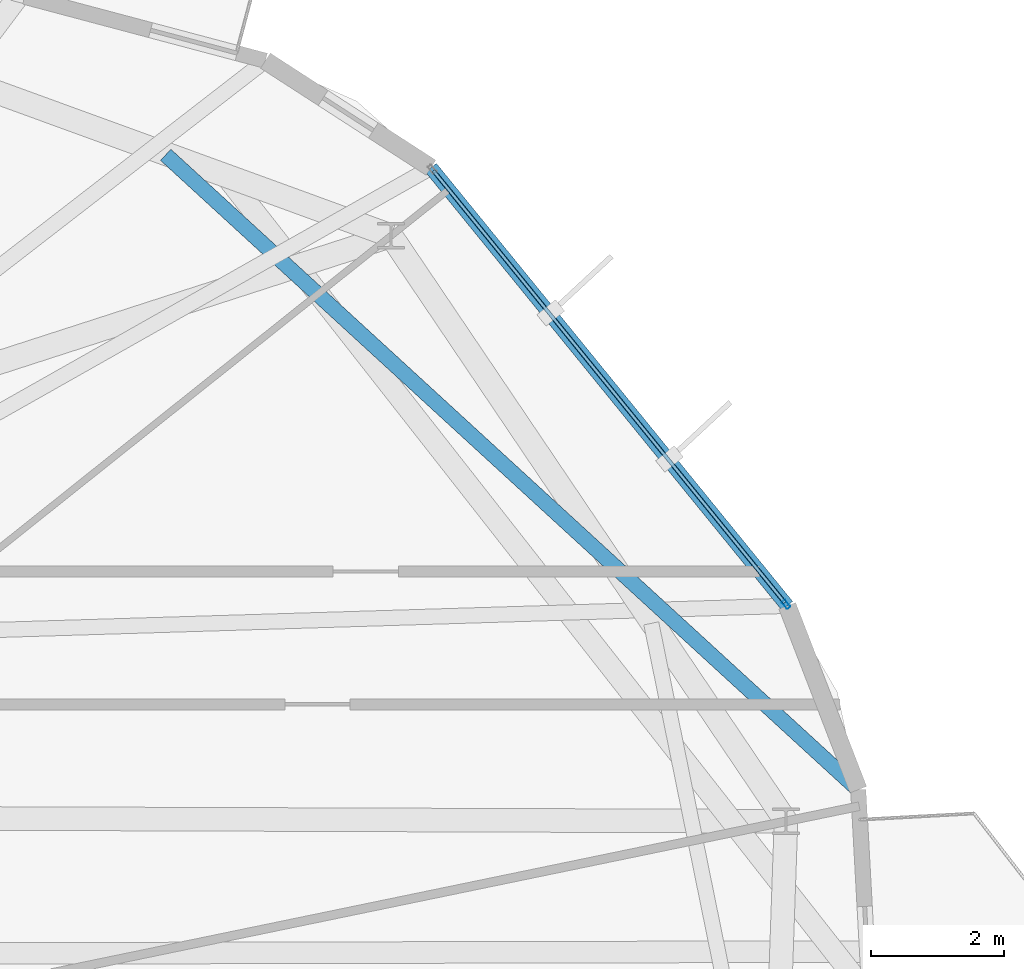
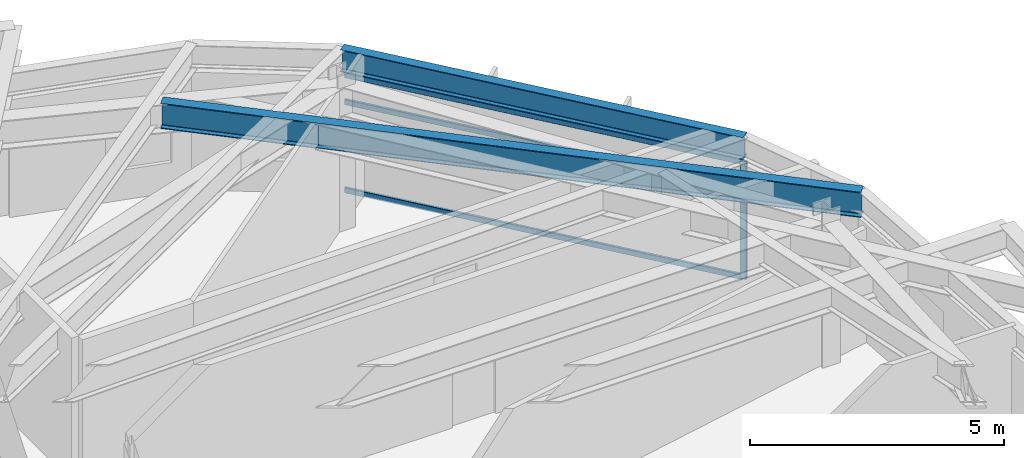
# One storey, part 16 of 26: 4 members, 2 beams, 1 element without a shape of its own.
"""IFC4 building model written with IfcOpenShell, lengths in metres."""

from ifc_helpers import new_model, si_unit, direction, frame, origin, origin_2d, place, context, subcontext, project, spatial, hollow_rectangle, i_section, extrude, material, layer, layer_set, material_profile, profile_set, type_object, element, aggregate, save


model = new_model("IFC4")

# Units and contexts
model_context = context("Model", 3, precision=1e-05, world=origin(), true_north=direction((0.0, 1.0)))
body_context = subcontext(model_context, "Body", "Model", "MODEL_VIEW")
ifc_project = project(units=[si_unit("LENGTHUNIT", "METRE"), si_unit("AREAUNIT", "SQUARE_METRE"), si_unit("VOLUMEUNIT", "CUBIC_METRE"), si_unit("PLANEANGLEUNIT", "RADIAN"), si_unit("MASSUNIT", "GRAM", prefix="KILO")], contexts=[model_context])

# Site, building, storey
site_placement = place(None, origin())
site = spatial("IfcSite", under=ifc_project, at=site_placement, CompositionType="ELEMENT")
building_placement = place(site_placement, origin())
building = spatial("IfcBuilding", under=site, at=building_placement, Name="Soratama Intermodal Tower", CompositionType="ELEMENT")
storey_placement = place(building_placement, frame((0.0, 0.0, 242.5)))
storey = spatial("IfcBuildingStorey", under=building, at=storey_placement, Name="L61", CompositionType="ELEMENT", Elevation=242.5)

# Beams
ifc_material_1 = material(Name="Structural steel ASTM A992 Grade 50", Category="steel")
ifc_material_profile_1 = material_profile(ifc_material_1, i_section(OverallWidth=0.2099609375, OverallDepth=0.537109375, WebThickness=0.010986328125, FlangeThickness=0.017333984375, FilletRadius=0.012939453125, at=origin_2d()), Name="W21X68")
ifc_profile_set_1 = profile_set([ifc_material_profile_1], Name="Structural steel ASTM A992 Grade 50")
beam_type_1 = type_object("IfcBeamType", Name="BM-SPN-W21X68", PredefinedType="SPANDREL", material=ifc_profile_set_1)
beam_1_placement = place(storey_placement, frame((61.552978515625, 32.98388671875, 3.181396484375), z_axis=(-0.630976433532, 0.775801998146, 0.0), x_axis=(-0.775801998146, -0.630976433532, 0.0)))
element("IfcBeam", 1, at=beam_1_placement, inside=storey, type_object=beam_type_1, Name="BS-L61-F10", PredefinedType="SPANDREL", context=body_context, shape_type="SweptSolid", body=[
    extrude(i_section(OverallWidth=0.2099609375, OverallDepth=0.537109375, WebThickness=0.010986328125, FlangeThickness=0.017333984375, FilletRadius=0.012939453125, at=origin_2d()), origin(), (0.0, 0.0, 1.0), 8.49951171875),
])
ifc_material_2 = material(Name="Structural steel ASTM A992 Grade 50", Category="steel")
ifc_material_profile_2 = material_profile(ifc_material_2, i_section(OverallWidth=0.22900390625, OverallDepth=0.612060546875, WebThickness=0.011962890625, FlangeThickness=0.01953125, FilletRadius=0.012939453125, at=origin_2d()), Name="W24X84")
ifc_profile_set_2 = profile_set([ifc_material_profile_2], Name="Structural steel ASTM A992 Grade 50")
beam_type_2 = type_object("IfcBeamType", Name="BM-TIE-W24X84", PredefinedType="BEAM", material=ifc_profile_set_2)
beam_2_placement = place(storey_placement, frame((52.197998046875, 39.77197265625, 3.14404296875), z_axis=(0.737170623325, -0.675706646487, 0.0), x_axis=(0.675706646487, 0.737170623325, 0.0)))
element("IfcBeam", 2, at=beam_2_placement, inside=storey, type_object=beam_type_2, Name="BM-L61-TIE1-09", PredefinedType="BEAM", context=body_context, shape_type="SweptSolid", body=[
    extrude(i_section(OverallWidth=0.22900390625, OverallDepth=0.612060546875, WebThickness=0.011962890625, FlangeThickness=0.01953125, FilletRadius=0.012939453125, at=origin_2d()), origin(), (0.0, 0.0, 1.0), 14.140625),
])

# Curtain wall, members
ifc_material_3 = material(Name="Double-glazed aluminium curtain wall", Category="aluminium")
ifc_layer = layer(ifc_material_3, 0.159912109375)
ifc_layer_set = layer_set([ifc_layer], Name="Double-glazed aluminium curtain wall")
curtain_wall_type = type_object("IfcCurtainWallType", Name="CW-SYS-5", PredefinedType="NOTDEFINED", material=ifc_layer_set)
curtain_wall_placement = place(storey_placement, origin())
curtain_wall = element("IfcCurtainWall", 3, at=curtain_wall_placement, inside=storey, type_object=curtain_wall_type, Name="L61 Faceted Curtain Wall F10", PredefinedType="NOTDEFINED")
ifc_material_4 = material(Name="Anodised aluminium AA 6063-T6", Category="aluminium")
ifc_material_profile_3 = material_profile(ifc_material_4, hollow_rectangle(XDim=0.06494140625, YDim=0.139892578125, WallThickness=0.0048828125, InnerFilletRadius=0.0048828125, OuterFilletRadius=0.010009765625, at=origin_2d()), Name="CWM140X65X5")
ifc_profile_set_3 = profile_set([ifc_material_profile_3], Name="Anodised aluminium AA 6063-T6")
member_type_1 = type_object("IfcMemberType", Name="MT-CWM-5", PredefinedType="MULLION", material=ifc_profile_set_3)
member_1_placement = place(storey_placement, frame((61.5341796875, 33.00732421875, 0.0), z_axis=(0.0, 0.0, 1.0), x_axis=(-0.775824220588, -0.630949109477, 0.0)))
member_1 = element("IfcMember", 4, at=member_1_placement, type_object=member_type_1, Name="CW-5 mullion 1", PredefinedType="MULLION", context=body_context, shape_type="SweptSolid", body=[
    extrude(hollow_rectangle(XDim=0.06494140625, YDim=0.139892578125, WallThickness=0.0048828125, InnerFilletRadius=0.0048828125, OuterFilletRadius=0.010009765625, at=origin_2d()), origin(), (0.0, 0.0, 1.0), 2.8291015625),
])
ifc_material_5 = material(Name="Anodised aluminium AA 6063-T6", Category="aluminium")
ifc_material_profile_4 = material_profile(ifc_material_5, hollow_rectangle(XDim=0.06005859375, YDim=0.1298828125, WallThickness=0.0048828125, InnerFilletRadius=0.0048828125, OuterFilletRadius=0.010009765625, at=origin_2d()), Name="CWT130X60X5")
ifc_profile_set_4 = profile_set([ifc_material_profile_4], Name="Anodised aluminium AA 6063-T6")
member_type_2 = type_object("IfcMemberType", Name="TT-CWT-2", PredefinedType="USERDEFINED", material=ifc_profile_set_4)
member_2_placement = place(storey_placement, frame((61.51513671875, 33.03076171875, 0.030029296875), z_axis=(-0.630956714187, 0.775818035896, 0.0), x_axis=(-0.775818035896, -0.630956714187, 0.0)))
member_2 = element("IfcMember", 5, at=member_2_placement, type_object=member_type_2, Name="CW-5 transom 1.1", ObjectType="TRANSOM", PredefinedType="USERDEFINED", context=body_context, shape_type="SweptSolid", body=[
    extrude(hollow_rectangle(XDim=0.06005859375, YDim=0.1298828125, WallThickness=0.0048828125, InnerFilletRadius=0.0048828125, OuterFilletRadius=0.010009765625, at=origin_2d()), origin(), (0.0, 0.0, 1.0), 8.37939453125),
])
member_3_placement = place(storey_placement, frame((61.51513671875, 33.03076171875, 2.14990234375), z_axis=(-0.630956714187, 0.775818035896, 0.0), x_axis=(-0.775818035896, -0.630956714187, 0.0)))
member_3 = element("IfcMember", 6, at=member_3_placement, type_object=member_type_2, Name="CW-5 transom 1.2", ObjectType="TRANSOM", PredefinedType="USERDEFINED", context=body_context, shape_type="SweptSolid", body=[
    extrude(hollow_rectangle(XDim=0.06005859375, YDim=0.1298828125, WallThickness=0.0048828125, InnerFilletRadius=0.0048828125, OuterFilletRadius=0.010009765625, at=origin_2d()), origin(), (0.0, 0.0, 1.0), 8.37939453125),
])
member_4_placement = place(storey_placement, frame((61.51513671875, 33.03076171875, 2.799072265625), z_axis=(-0.630956714187, 0.775818035896, 0.0), x_axis=(-0.775818035896, -0.630956714187, 0.0)))
member_4 = element("IfcMember", 7, at=member_4_placement, type_object=member_type_2, Name="CW-5 transom 1.3", ObjectType="TRANSOM", PredefinedType="USERDEFINED", context=body_context, shape_type="SweptSolid", body=[
    extrude(hollow_rectangle(XDim=0.06005859375, YDim=0.1298828125, WallThickness=0.0048828125, InnerFilletRadius=0.0048828125, OuterFilletRadius=0.010009765625, at=origin_2d()), origin(), (0.0, 0.0, 1.0), 8.37939453125),
])
aggregate(curtain_wall, [member_1, member_2, member_3, member_4])

save(model, "model.ifc")
